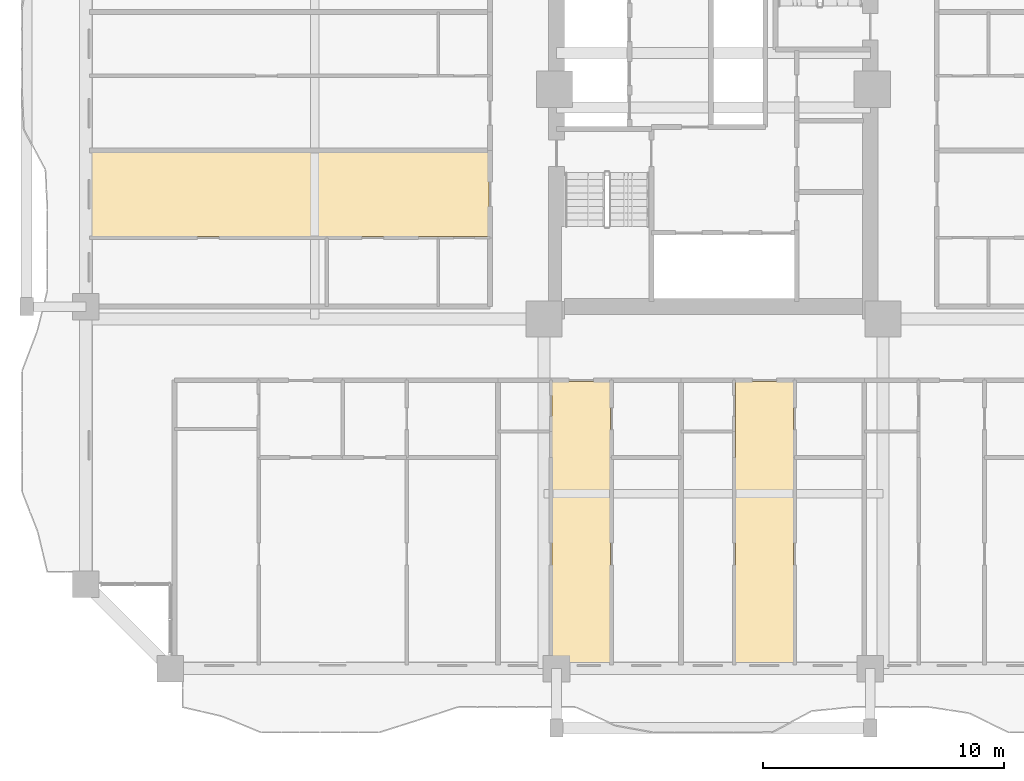
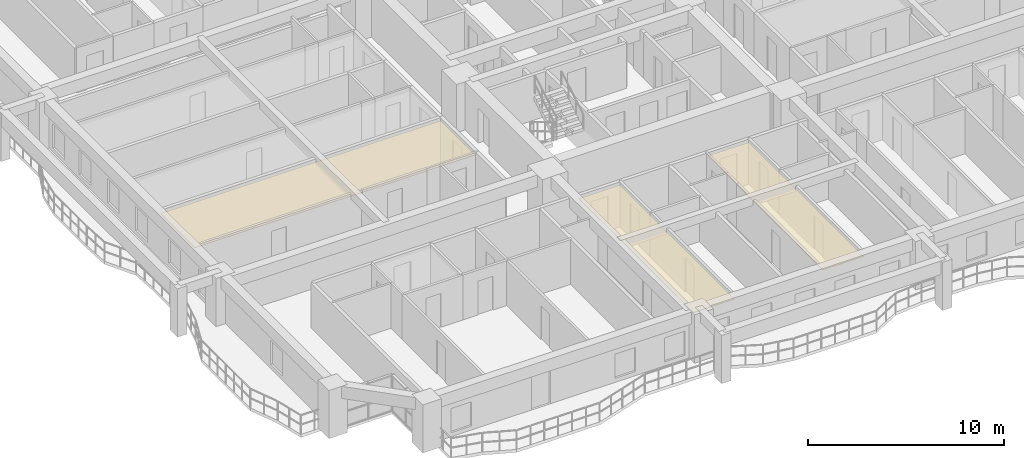
# One storey, part 24 of 28: 3 coverings.
"""IFC4 building model written with IfcOpenShell, lengths in metres."""

from ifc_helpers import new_model, si_unit, direction, frame, origin, place, context, subcontext, project, spatial, polyline, outline, extrude, material, layer, layer_set, type_object, element, save


model = new_model("IFC4")

# Units and contexts
model_context = context("Model", 3, precision=1e-05, world=origin(), true_north=direction((0.0, 1.0)))
body_context = subcontext(model_context, "Body", "Model", "MODEL_VIEW")
ifc_project = project(units=[si_unit("LENGTHUNIT", "METRE"), si_unit("AREAUNIT", "SQUARE_METRE"), si_unit("VOLUMEUNIT", "CUBIC_METRE"), si_unit("PLANEANGLEUNIT", "RADIAN"), si_unit("MASSUNIT", "GRAM", prefix="KILO")], contexts=[model_context])

# Site, building, storey
site_placement = place(None, origin())
site = spatial("IfcSite", under=ifc_project, at=site_placement, CompositionType="ELEMENT")
building_placement = place(site_placement, origin())
building = spatial("IfcBuilding", under=site, at=building_placement, Name="Saelheon Loggia Tower", CompositionType="ELEMENT")
storey_placement = place(building_placement, frame((0.0, 0.0, 61.39990234375)))
storey = spatial("IfcBuildingStorey", under=building, at=storey_placement, Name="L19", CompositionType="ELEMENT", Elevation=61.39990234375)

# Coverings
ifc_material = material(Name="Mineral-Fibre Acoustic Ceiling Board", Category="gypsum")
ifc_layer = layer(ifc_material, 0.02490234375)
ifc_layer_set = layer_set([ifc_layer], Name="Mineral-Fibre Acoustic Ceiling Board")
covering_type = type_object("IfcCoveringType", Name="Cov_Ceiling_Acoustic", PredefinedType="CEILING", material=ifc_layer_set)
covering_1_placement = place(storey_placement, frame((0.0, 0.0, 2.53515625)))
element("IfcCovering", 1, at=covering_1_placement, inside=storey, type_object=covering_type, Name="L19 Acoustic Suspended Ceiling", PredefinedType="CEILING", context=body_context, shape_type="SweptSolid", body=[
    extrude(outline(polyline([(31.322021484375, 3.199951171875), (33.72705078125, 3.199951171875), (33.72705078125, 14.89990234375), (31.322021484375, 14.89990234375), (31.322021484375, 3.199951171875)])), origin(), (0.0, 0.0, 1.0), 0.02490234375),
])
covering_2_placement = place(storey_placement, frame((0.0, 0.0, 2.53515625)))
element("IfcCovering", 2, at=covering_2_placement, inside=storey, type_object=covering_type, Name="L19 Acoustic Suspended Ceiling", PredefinedType="CEILING", context=body_context, shape_type="SweptSolid", body=[
    extrude(outline(polyline([(38.910888671875, 3.199951171875), (41.31591796875, 3.199951171875), (41.31591796875, 14.89990234375), (38.910888671875, 14.89990234375), (38.910888671875, 3.199951171875)])), origin(), (0.0, 0.0, 1.0), 0.02490234375),
])
covering_3_placement = place(storey_placement, frame((0.0, 0.0, 2.53515625)))
element("IfcCovering", 3, at=covering_3_placement, inside=storey, type_object=covering_type, Name="L19 Acoustic Suspended Ceiling", PredefinedType="CEILING", context=body_context, shape_type="SweptSolid", body=[
    extrude(outline(polyline([(12.199951171875, 20.89990234375), (28.699951171875, 20.89990234375), (28.699951171875, 24.412109375), (12.199951171875, 24.412109375), (12.199951171875, 20.89990234375)])), origin(), (0.0, 0.0, 1.0), 0.02490234375),
])

save(model, "model.ifc")
